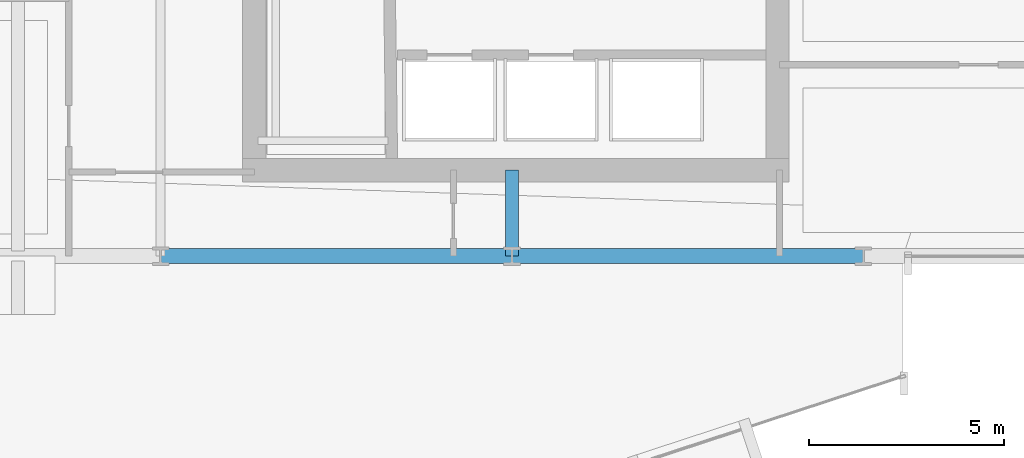
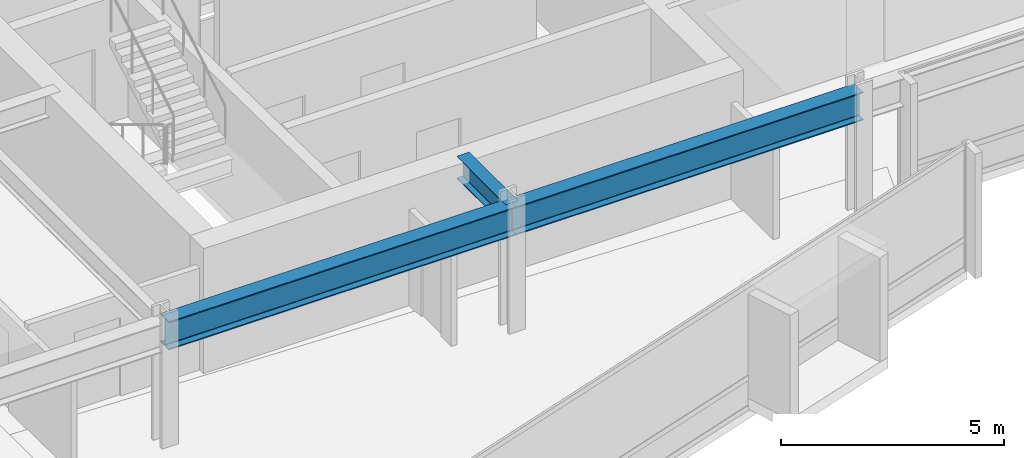
# One storey, part 11 of 34: 3 beams.
"""IFC4 building model written with IfcOpenShell, lengths in metres."""

import ifcopenshell
import ifcopenshell.guid

model = None  # the IFC model being written
_history = None  # IfcOwnerHistory: only IFC2X3 demands one
_inside = {}  # id of a spatial element -> (the spatial element, [elements in it])
_under = {}  # id of a project, library or spatial element -> (it, [spatial elements below it])
_declared = {}  # id of a project -> (the project, [libraries it declares])
_typed = {}  # id of a type object -> (the type object, [elements of that type])
_made_of = {}  # id of a material, layer set ... -> (it, [elements and type objects made of it])


def new_model(schema):
    """Start an empty IFC model of exactly this schema.

    Asked for "IFC4X3", IfcOpenShell would pick the latest addendum, in which some entities
    have other attributes; the version numbers below select the first issue.
    IFC2X3 requires an IfcOwnerHistory on every rooted entity: one is made here for all.
    """
    global model, _history
    if schema == "IFC4X3":
        model = ifcopenshell.file(schema_version=(4, 3, 0, 0))
    else:
        model = ifcopenshell.file(schema=schema)
    _inside.clear()
    _under.clear()
    _declared.clear()
    _typed.clear()
    _made_of.clear()
    _history = None
    if model.schema == "IFC2X3":
        org = make("IfcOrganization", Name="unknown")
        user = make(
            "IfcPersonAndOrganization",
            ThePerson=make("IfcPerson", FamilyName="unknown"),
            TheOrganization=org,
        )
        app = make(
            "IfcApplication",
            ApplicationDeveloper=org,
            Version="unknown",
            ApplicationFullName="unknown",
            ApplicationIdentifier="unknown",
        )
        _history = make(
            "IfcOwnerHistory",
            OwningUser=user,
            OwningApplication=app,
            ChangeAction="ADDED",
            CreationDate=0,
        )
    return model


def make(cls, **values):
    """One entity of the class cls with the attributes given. An attribute that is None is left unset."""
    return model.create_entity(
        cls, **{name: value for name, value in values.items() if value is not None}
    )


def rooted(cls, **values):
    """An entity with a GlobalId (a new one), such as an element, a storey or a relation."""
    return make(cls, GlobalId=ifcopenshell.guid.new(), OwnerHistory=_history, **values)


def si_unit(unit_type, name, prefix=None):
    """IfcSIUnit, for example si_unit("LENGTHUNIT", "METRE", prefix="MILLI")."""
    return make("IfcSIUnit", UnitType=unit_type, Prefix=prefix, Name=name)


def assignment(units):
    """IfcUnitAssignment: the units of a project."""
    return None if units is None else make("IfcUnitAssignment", Units=units)


def point(xyz):
    """IfcCartesianPoint."""
    return None if xyz is None else make("IfcCartesianPoint", Coordinates=xyz)


def direction(xyz):
    """IfcDirection."""
    return None if xyz is None else make("IfcDirection", DirectionRatios=xyz)


def frame(location, z_axis=None, x_axis=None):
    """IfcAxis2Placement3D, a coordinate frame: its origin and axes. An axis left out is left unset."""
    return make(
        "IfcAxis2Placement3D",
        Location=point(location),
        Axis=direction(z_axis),
        RefDirection=direction(x_axis),
    )


def frame_2d(location, x_axis=None):
    """IfcAxis2Placement2D, a coordinate frame in the plane: its origin and x axis."""
    return make(
        "IfcAxis2Placement2D", Location=point(location), RefDirection=direction(x_axis)
    )


def origin():
    """The frame at (0, 0, 0) with its axes left unset."""
    return frame((0.0, 0.0, 0.0))


def origin_2d():
    """The frame at (0, 0) in the plane with its x axis left unset."""
    return frame_2d((0.0, 0.0))


def place(relative_to, where):
    """IfcLocalPlacement: puts the frame where relative to a parent placement (None: the world)."""
    return make(
        "IfcLocalPlacement", PlacementRelTo=relative_to, RelativePlacement=where
    )


def context(
    kind, dimensions, precision=None, world=None, true_north=None, identifier=None
):
    """IfcGeometricRepresentationContext, for example the 3D "Model" context."""
    return make(
        "IfcGeometricRepresentationContext",
        ContextIdentifier=identifier,
        ContextType=kind,
        CoordinateSpaceDimension=dimensions,
        Precision=precision,
        WorldCoordinateSystem=world,
        TrueNorth=true_north,
    )


def subcontext(parent, identifier, kind, view, scale=None):
    """IfcGeometricRepresentationSubContext, for example "Body" below "Model"."""
    return make(
        "IfcGeometricRepresentationSubContext",
        ContextIdentifier=identifier,
        ContextType=kind,
        ParentContext=parent,
        TargetScale=scale,
        TargetView=view,
    )


def project(units=None, contexts=None):
    """IfcProject with its units and contexts."""
    return rooted(
        "IfcProject",
        Name="project",
        RepresentationContexts=contexts,
        UnitsInContext=assignment(units),
    )


def spatial(cls, under=None, at=None, **own):
    """A site, building, storey or space (cls), placed at a placement, below another one or the project."""
    s = rooted(cls, ObjectPlacement=at, **own)
    if under is not None:
        _under.setdefault(under.id(), (under, []))[1].append(s)
    return s


def profile(cls, at=None, kind="AREA", **sizes):
    """A parametric profile (cls). Its sizes go by their IFC names, for example OverallWidth=200.0."""
    return make(cls, ProfileType=kind, Position=at, **sizes)


def i_section(**sizes):
    """IfcIShapeProfileDef."""
    return profile("IfcIShapeProfileDef", **sizes)


def extrude(swept, where, along, depth):
    """IfcExtrudedAreaSolid: the profile swept, set in the frame where, extruded along a direction by depth."""
    return make(
        "IfcExtrudedAreaSolid",
        SweptArea=swept,
        Position=where,
        ExtrudedDirection=direction(along),
        Depth=depth,
    )


def shape(context_of_items, identifier, shape_type, items):
    """IfcShapeRepresentation: the items that make up one representation, for example the "Body"."""
    return make(
        "IfcShapeRepresentation",
        ContextOfItems=context_of_items,
        RepresentationIdentifier=identifier,
        RepresentationType=shape_type,
        Items=items,
    )


def material(Name=None, Category=None):
    """IfcMaterial."""
    return make("IfcMaterial", Name=Name, Category=Category)


def material_profile(
    of_material, cross_section, Name=None, Category=None, Priority=None
):
    """IfcMaterialProfile: a cross section and its material."""
    return make(
        "IfcMaterialProfile",
        Name=Name,
        Material=of_material,
        Profile=cross_section,
        Priority=Priority,
        Category=Category,
    )


def profile_set(profiles, Name=None, composite=None):
    """IfcMaterialProfileSet."""
    return make(
        "IfcMaterialProfileSet",
        Name=Name,
        MaterialProfiles=profiles,
        CompositeProfile=composite,
    )


def made_of(thing, what):
    """Note that an element or type object is made of a material, layer set ...; save() writes the relation."""
    if what is not None:
        _made_of.setdefault(what.id(), (what, []))[1].append(thing)
    return thing


def type_object(cls, material=None, **own):
    """A type object (cls), such as IfcWallType, which elements share."""
    return made_of(rooted(cls, **own), material)


def element(
    cls,
    number,
    at=None,
    inside=None,
    cuts=None,
    type_object=None,
    material=None,
    context=None,
    identifier="Body",
    shape_type=None,
    held_by="IfcProductDefinitionShape",
    body=None,
    shapes=None,
    **own,
):
    """One element of the class cls, such as IfcWall. Its Tag is "e" and its number.

    at: its placement. inside: the storey or other place that contains it. cuts: it is an
    opening in that element (IfcRelVoidsElement). A single representation is given by context,
    identifier, shape_type and body (its items); several are given by shapes. held_by: the class
    of the entity that holds the representations. save() writes the other relations.
    """
    e = rooted(cls, Tag="e%d" % number, ObjectPlacement=at, **own)
    if body is not None:
        shapes = [shape(context, identifier, shape_type, body)]
    if shapes is not None:
        e.Representation = make(held_by, Representations=shapes)
    if inside is not None:
        _inside.setdefault(inside.id(), (inside, []))[1].append(e)
    if cuts is not None:
        rooted(
            "IfcRelVoidsElement", RelatingBuildingElement=cuts, RelatedOpeningElement=e
        )
    if type_object is not None:
        _typed.setdefault(type_object.id(), (type_object, []))[1].append(e)
    return made_of(e, material)


def aggregate(whole, parts):
    """IfcRelAggregates: a whole, such as a stair, and the parts it consists of."""
    return rooted("IfcRelAggregates", RelatingObject=whole, RelatedObjects=parts)


def save(model, path):
    """Write the relations noted so far, then the file.

    IfcRelAggregates (storeys below a building ...), IfcRelContainedInSpatialStructure (elements
    in a storey), IfcRelDefinesByType, IfcRelAssociatesMaterial and IfcRelDeclares: one each for
    every whole, place, type object, material and project.
    """
    for whole, parts in _under.values():
        aggregate(whole, parts)
    for where, things in _inside.values():
        rooted(
            "IfcRelContainedInSpatialStructure",
            RelatedElements=things,
            RelatingStructure=where,
        )
    for kind, things in _typed.values():
        rooted("IfcRelDefinesByType", RelatedObjects=things, RelatingType=kind)
    for what, things in _made_of.values():
        rooted("IfcRelAssociatesMaterial", RelatedObjects=things, RelatingMaterial=what)
    for by, libraries in _declared.values():
        rooted("IfcRelDeclares", RelatingContext=by, RelatedDefinitions=libraries)
    model.write(path)


model = new_model("IFC4")

# Units and contexts
model_context = context("Model", 3, precision=1e-05, world=origin(), true_north=direction((0.0, 1.0)))
body_context = subcontext(model_context, "Body", "Model", "MODEL_VIEW")
ifc_project = project(units=[si_unit("LENGTHUNIT", "METRE"), si_unit("AREAUNIT", "SQUARE_METRE"), si_unit("VOLUMEUNIT", "CUBIC_METRE"), si_unit("PLANEANGLEUNIT", "RADIAN"), si_unit("MASSUNIT", "GRAM", prefix="KILO")], contexts=[model_context])

# Site, building, storey
site_placement = place(None, origin())
site = spatial("IfcSite", under=ifc_project, at=site_placement, CompositionType="ELEMENT")
building_placement = place(site_placement, origin())
building = spatial("IfcBuilding", under=site, at=building_placement, Name="Solvaryn Broadcast Tower", CompositionType="ELEMENT")
storey_placement = place(building_placement, frame((0.0, 0.0, 92.800048828125)))
storey = spatial("IfcBuildingStorey", under=building, at=storey_placement, Name="L22", CompositionType="ELEMENT", Elevation=92.800048828125)

# Beams
ifc_material_1 = material(Name="Steel ASTM A992 Grade 50", Category="steel")
ifc_material_profile_1 = material_profile(ifc_material_1, i_section(OverallWidth=0.323974609375, OverallDepth=0.611083984375, WebThickness=0.0126953125, FlangeThickness=0.01904296875, FilletRadius=0.014892578125, at=origin_2d()))
ifc_profile_set_1 = profile_set([ifc_material_profile_1], Name="Steel ASTM A992 Grade 50")
beam_type_1 = type_object("IfcBeamType", Name="BM-B1-W24X104", PredefinedType="BEAM", material=ifc_profile_set_1)
beam_placement = place(storey_placement, frame((36.0, 9.0, 3.114501953125), z_axis=(0.0, 1.0, 0.0), x_axis=(-1.0, 0.0, 0.0)))
element("IfcBeam", 1, at=beam_placement, inside=storey, type_object=beam_type_1, Name="L22 Core Tie Beam CTE1", PredefinedType="BEAM", context=body_context, shape_type="SweptSolid", body=[
    extrude(i_section(OverallWidth=0.323974609375, OverallDepth=0.611083984375, WebThickness=0.0126953125, FlangeThickness=0.01904296875, FilletRadius=0.014892578125, at=origin_2d()), origin(), (0.0, 0.0, 1.0), 2.199951171875),
])
ifc_material_2 = material(Name="Steel ASTM A992 Grade 50", Category="steel")
ifc_material_profile_2 = material_profile(ifc_material_2, i_section(OverallWidth=0.381103515625, OverallDepth=0.77294921875, WebThickness=0.0166015625, FlangeThickness=0.027099609375, FilletRadius=0.01806640625, at=origin_2d()))
ifc_profile_set_2 = profile_set([ifc_material_profile_2], Name="Steel ASTM A992 Grade 50")
beam_type_2 = type_object("IfcBeamType", Name="BM-SP1-W30X173", PredefinedType="USERDEFINED", material=ifc_profile_set_2)
for number, where, z_axis, x_axis, name in (
    (2, (27.0, 9.0, 3.033447265625), (1.0, 0.0, 0.0), (0.0, 1.0, 0.0), "L22 Spandrel Beam X (27-36 @ Y=9)"),
    (3, (36.0, 9.0, 3.033447265625), (1.0, 0.0, 0.0), (0.0, 1.0, 0.0), "L22 Spandrel Beam X (36-45 @ Y=9)"),
):
    element("IfcBeam", number, at=place(storey_placement, frame(where, z_axis=z_axis, x_axis=x_axis)), inside=storey, type_object=beam_type_2, Name=name, ObjectType="SPANDREL", PredefinedType="USERDEFINED", context=body_context, shape_type="SweptSolid", body=[
        extrude(i_section(OverallWidth=0.381103515625, OverallDepth=0.77294921875, WebThickness=0.0166015625, FlangeThickness=0.027099609375, FilletRadius=0.01806640625, at=origin_2d()), origin(), (0.0, 0.0, 1.0), 9.0),
    ])

save(model, "model.ifc")
